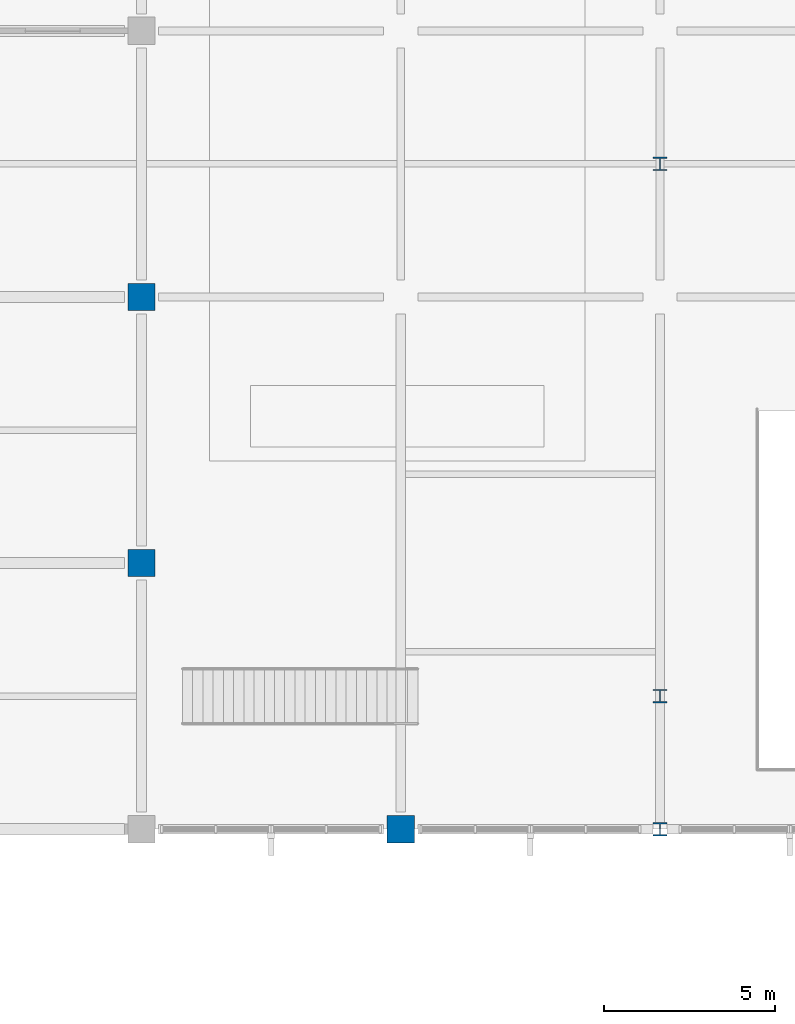
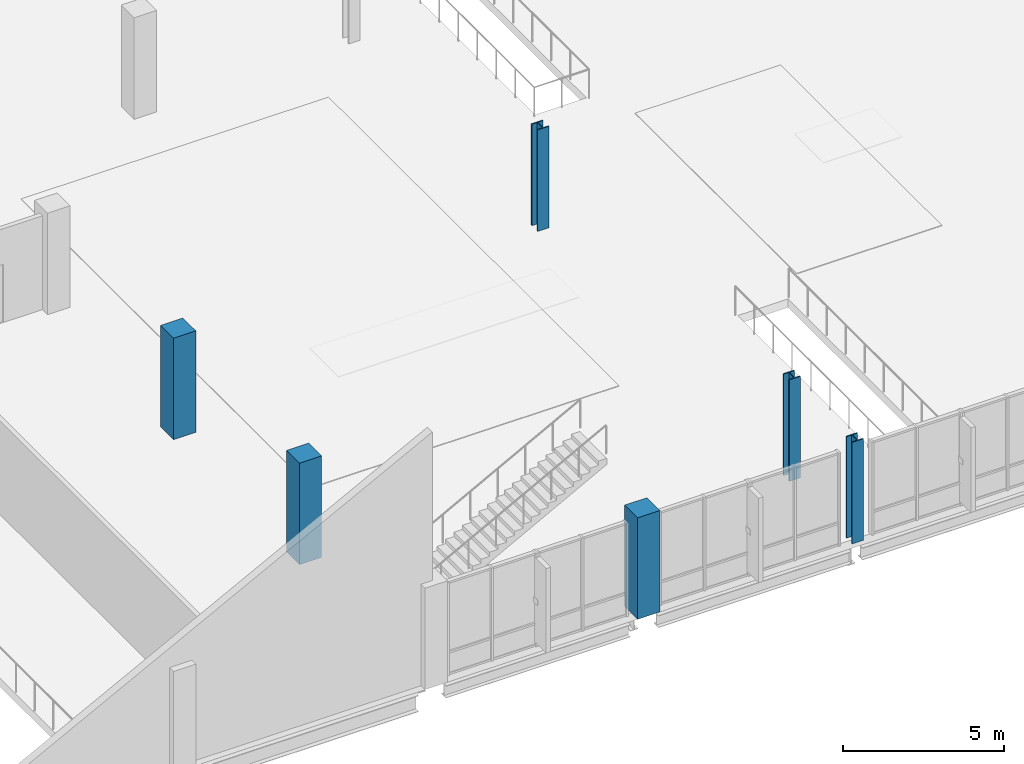
# One storey, part 8 of 85: 6 columns.
"""IFC4 building model written with IfcOpenShell, lengths in metres."""

from ifc_helpers import new_model, si_unit, direction, frame, origin, origin_2d, place, context, subcontext, project, spatial, rectangle, i_section, extrude, material, material_profile, profile_set, type_object, element, save


model = new_model("IFC4")

# Units and contexts
model_context = context("Model", 3, precision=1e-05, world=origin(), true_north=direction((0.0, 1.0)))
body_context = subcontext(model_context, "Body", "Model", "MODEL_VIEW")
ifc_project = project(units=[si_unit("LENGTHUNIT", "METRE"), si_unit("AREAUNIT", "SQUARE_METRE"), si_unit("VOLUMEUNIT", "CUBIC_METRE"), si_unit("PLANEANGLEUNIT", "RADIAN"), si_unit("MASSUNIT", "GRAM", prefix="KILO")], contexts=[model_context])

# Site, building, storey
site_placement = place(None, origin())
site = spatial("IfcSite", under=ifc_project, at=site_placement, CompositionType="ELEMENT")
building_placement = place(site_placement, origin())
building = spatial("IfcBuilding", under=site, at=building_placement, Name="Vervanel Yard Central Library", CompositionType="ELEMENT")
storey_placement = place(building_placement, frame((0.0, 0.0, 5.10009765625)))
storey = spatial("IfcBuildingStorey", under=building, at=storey_placement, Name="L01", CompositionType="ELEMENT", Elevation=5.10009765625)

# Columns
ifc_material_1 = material(Name="Concrete C45/55", Category="concrete")
ifc_material_profile_1 = material_profile(ifc_material_1, rectangle(XDim=0.800048828125, YDim=0.800048828125, at=origin_2d()), Name="RC 800x800", Category="concrete")
ifc_profile_set_1 = profile_set([ifc_material_profile_1], Name="Concrete C45/55")
column_type_1 = type_object("IfcColumnType", Name="Concrete Column 800x800", PredefinedType="COLUMN", material=ifc_profile_set_1)
for number, where, z_axis, x_axis, name in (
    (1, (108.0, 51.0, 0.0), (0.0, 0.0, 1.0), (1.0, 0.0, 0.0), "L01 Concrete Column 800x800 (108.0, 51.0)"),
    (2, (108.0, 58.800048828125, 0.0), (0.0, 0.0, 1.0), (1.0, 0.0, 0.0), "L01 Concrete Column 800x800 (108.0, 58.8)"),
    (3, (115.60009765625, 43.199951171875, 0.0), (0.0, 0.0, 1.0), (1.0, 0.0, 0.0), "L01 Concrete Column 800x800 (115.6, 43.2)"),
):
    element("IfcColumn", number, at=place(storey_placement, frame(where, z_axis=z_axis, x_axis=x_axis)), inside=storey, type_object=column_type_1, Name=name, PredefinedType="COLUMN", context=body_context, shape_type="SweptSolid", body=[
        extrude(rectangle(XDim=0.800048828125, YDim=0.800048828125, at=origin_2d()), origin(), (0.0, 0.0, 1.0), 3.83984375),
    ])
ifc_material_2 = material(Name="Steel ASTM A992 Grade 50", Category="steel")
ifc_material_profile_2 = material_profile(ifc_material_2, i_section(OverallWidth=0.4013671875, OverallDepth=0.398681640625, WebThickness=0.02490234375, FlangeThickness=0.03955078125, at=origin_2d()), Name="W14X211", Category="steel")
ifc_profile_set_2 = profile_set([ifc_material_profile_2], Name="Steel ASTM A992 Grade 50")
column_type_2 = type_object("IfcColumnType", Name="Steel Tie-Down Column W14X211", PredefinedType="COLUMN", material=ifc_profile_set_2)
for number, where, z_axis, x_axis, name in (
    (4, (123.199951171875, 43.199951171875, 0.0), (0.0, 0.0, 1.0), (1.0, 0.0, 0.0), "L01 Steel Tie-Down Column W14X211 (123.2, 43.2)"),
    (5, (123.199951171875, 47.10009765625, 0.0), (0.0, 0.0, 1.0), (1.0, 0.0, 0.0), "L01 Prow Truss S Post (123.2, 47.1)"),
    (6, (123.199951171875, 62.699951171875, 0.0), (0.0, 0.0, 1.0), (1.0, 0.0, 0.0), "L01 Prow Truss N Post (123.2, 62.7)"),
):
    element("IfcColumn", number, at=place(storey_placement, frame(where, z_axis=z_axis, x_axis=x_axis)), inside=storey, type_object=column_type_2, Name=name, PredefinedType="COLUMN", context=body_context, shape_type="SweptSolid", body=[
        extrude(i_section(OverallWidth=0.4013671875, OverallDepth=0.398681640625, WebThickness=0.02490234375, FlangeThickness=0.03955078125, at=origin_2d()), origin(), (0.0, 0.0, 1.0), 3.83984375),
    ])

save(model, "model.ifc")
